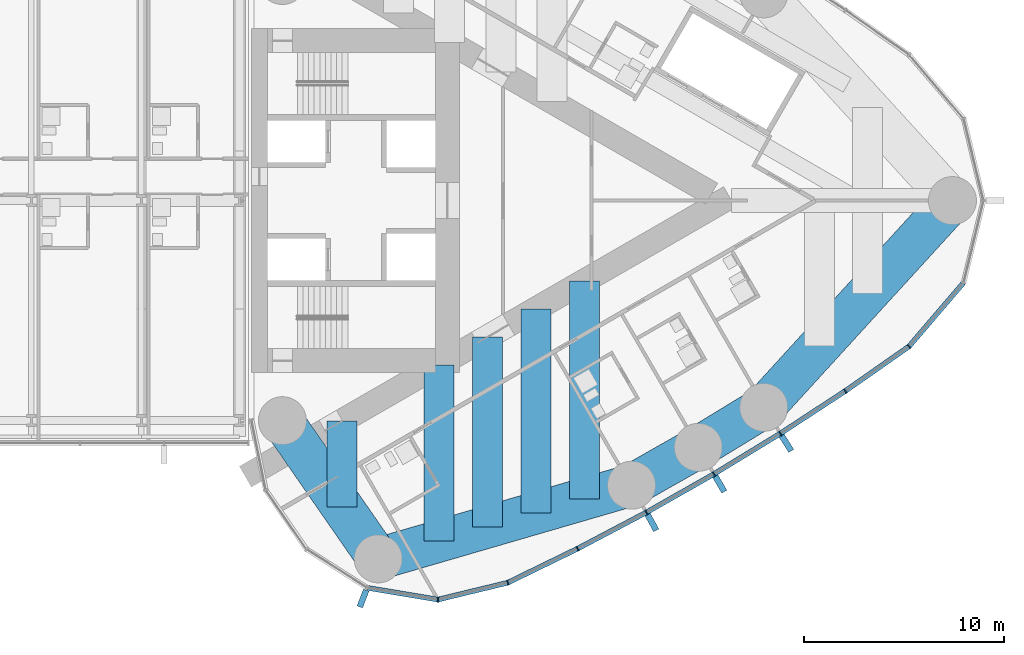
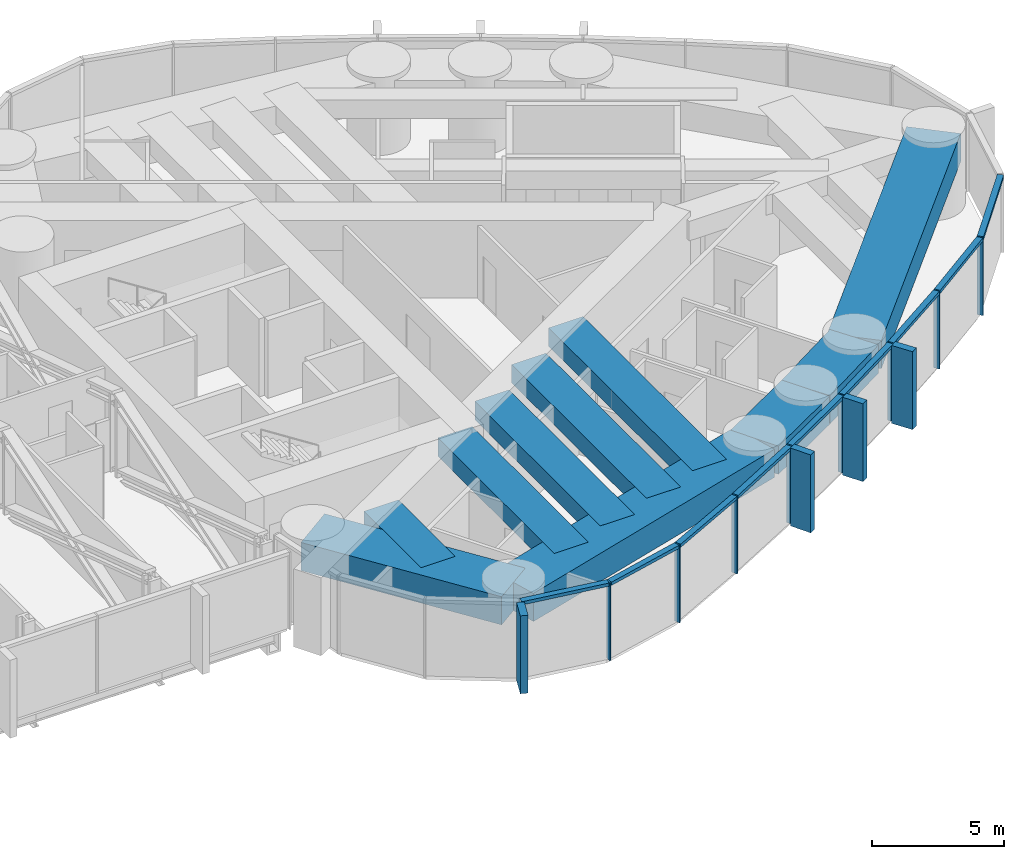
# One storey, part 8 of 23: 21 members, 10 beams, 1 element without a shape of its own.
"""IFC4 building model written with IfcOpenShell, lengths in metres."""

from ifc_helpers import new_model, si_unit, direction, frame, origin, origin_2d, place, context, subcontext, project, spatial, rectangle, extrude, material, material_profile, profile_set, type_object, element, aggregate, save


model = new_model("IFC4")

# Units and contexts
model_context = context("Model", 3, precision=1e-05, world=origin(), true_north=direction((0.0, 1.0)))
body_context = subcontext(model_context, "Body", "Model", "MODEL_VIEW")
ifc_project = project(units=[si_unit("LENGTHUNIT", "METRE"), si_unit("AREAUNIT", "SQUARE_METRE"), si_unit("VOLUMEUNIT", "CUBIC_METRE"), si_unit("PLANEANGLEUNIT", "RADIAN"), si_unit("MASSUNIT", "GRAM", prefix="KILO")], contexts=[model_context])

# Site, building, storey
site_placement = place(None, origin())
site = spatial("IfcSite", under=ifc_project, at=site_placement, CompositionType="ELEMENT")
building_placement = place(site_placement, origin())
building = spatial("IfcBuilding", under=site, at=building_placement, Name="Lancet Gate Hotel", CompositionType="ELEMENT")
storey_placement = place(building_placement, frame((0.0, 0.0, 222.5)))
storey = spatial("IfcBuildingStorey", under=building, at=storey_placement, Name="L59", CompositionType="ELEMENT", Elevation=222.5)

# Curtain wall, members
ifc_material_1 = material(Name="Aluminium curtain wall", Category="aluminium")
curtain_wall_type = type_object("IfcCurtainWallType", Name="Tower unitised curtain wall", PredefinedType="USERDEFINED", material=ifc_material_1)
curtain_wall_placement = place(storey_placement, origin())
curtain_wall = element("IfcCurtainWall", 1, at=curtain_wall_placement, inside=storey, type_object=curtain_wall_type, Name="T2 L59 curtain wall 1", ObjectType="UNITISED CURTAIN WALL", PredefinedType="USERDEFINED")
ifc_material_2 = material(Name="Aluminium mullion", Category="aluminium")
ifc_material_profile_1 = material_profile(ifc_material_2, rectangle(XDim=0.06494140625, YDim=0.25, at=origin_2d()), Name="MULLION 65x250")
ifc_profile_set_1 = profile_set([ifc_material_profile_1], Name="Aluminium mullion")
member_type_1 = type_object("IfcMemberType", Name="Aluminium mullion 65x250", PredefinedType="MULLION", material=ifc_profile_set_1)
member_1_placement = place(storey_placement, frame((36.826171875, -19.942138671875, 0.0), z_axis=(0.0, 0.0, 1.0), x_axis=(0.999342744911, 0.03625021647, 0.0)))
member_1 = element("IfcMember", 2, at=member_1_placement, type_object=member_type_1, Name="T2 L59 curtain wall 1 mullion 5", PredefinedType="MULLION", context=body_context, shape_type="SweptSolid", body=[
    extrude(rectangle(XDim=0.06494140625, YDim=0.25, at=origin_2d()), origin(), (0.0, 0.0, 1.0), 3.60009765625),
])
member_2_placement = place(storey_placement, frame((40.3173828125, -19.098388671875, 0.0), z_axis=(0.0, 0.0, 1.0), x_axis=(0.939483740419, 0.342593493061, 0.0)))
member_2 = element("IfcMember", 3, at=member_2_placement, type_object=member_type_1, Name="T2 L59 curtain wall 1 mullion 6", PredefinedType="MULLION", context=body_context, shape_type="SweptSolid", body=[
    extrude(rectangle(XDim=0.06494140625, YDim=0.25, at=origin_2d()), origin(), (0.0, 0.0, 1.0), 3.60009765625),
])
member_3_placement = place(storey_placement, frame((43.80810546875, -17.396240234375, 0.0), z_axis=(0.0, 0.0, 1.0), x_axis=(0.891832977257, 0.452364831389, 0.0)))
member_3 = element("IfcMember", 4, at=member_3_placement, type_object=member_type_1, Name="T2 L59 curtain wall 1 mullion 7", PredefinedType="MULLION", context=body_context, shape_type="SweptSolid", body=[
    extrude(rectangle(XDim=0.06494140625, YDim=0.25, at=origin_2d()), origin(), (0.0, 0.0, 1.0), 3.60009765625),
])
member_4_placement = place(storey_placement, frame((47.24365234375, -15.585205078125, 0.0), z_axis=(0.0, 0.0, 1.0), x_axis=(0.877194589488, 0.480135035352, 0.0)))
member_4 = element("IfcMember", 5, at=member_4_placement, type_object=member_type_1, Name="T2 L59 curtain wall 1 mullion 8", PredefinedType="MULLION", context=body_context, shape_type="SweptSolid", body=[
    extrude(rectangle(XDim=0.06494140625, YDim=0.25, at=origin_2d()), origin(), (0.0, 0.0, 1.0), 3.60009765625),
])
member_5_placement = place(storey_placement, frame((50.62060546875, -13.667236328125, 0.0), z_axis=(0.0, 0.0, 1.0), x_axis=(0.861691755738, 0.507432082247, 0.0)))
member_5 = element("IfcMember", 6, at=member_5_placement, type_object=member_type_1, Name="T2 L59 curtain wall 1 mullion 9", PredefinedType="MULLION", context=body_context, shape_type="SweptSolid", body=[
    extrude(rectangle(XDim=0.06494140625, YDim=0.25, at=origin_2d()), origin(), (0.0, 0.0, 1.0), 3.60009765625),
])
member_6_placement = place(storey_placement, frame((53.935791015625, -11.644287109375, 0.0), z_axis=(0.0, 0.0, 1.0), x_axis=(0.845339753513, 0.534229071777, 0.0)))
member_6 = element("IfcMember", 7, at=member_6_placement, type_object=member_type_1, Name="T2 L59 curtain wall 1 mullion 10", PredefinedType="MULLION", context=body_context, shape_type="SweptSolid", body=[
    extrude(rectangle(XDim=0.06494140625, YDim=0.25, at=origin_2d()), origin(), (0.0, 0.0, 1.0), 3.60009765625),
])
member_7_placement = place(storey_placement, frame((57.185791015625, -9.518310546875, 0.0), z_axis=(0.0, 0.0, 1.0), x_axis=(0.828154697184, 0.560499596371, 0.0)))
member_7 = element("IfcMember", 8, at=member_7_placement, type_object=member_type_1, Name="T2 L59 curtain wall 1 mullion 11", PredefinedType="MULLION", context=body_context, shape_type="SweptSolid", body=[
    extrude(rectangle(XDim=0.06494140625, YDim=0.25, at=origin_2d()), origin(), (0.0, 0.0, 1.0), 3.60009765625),
])
member_8_placement = place(storey_placement, frame((60.367431640625, -7.291259765625, 0.0), z_axis=(0.0, 0.0, 1.0), x_axis=(0.737323173512, 0.675540182226, 0.0)))
member_8 = element("IfcMember", 9, at=member_8_placement, type_object=member_type_1, Name="T2 L59 curtain wall 1 mullion 12", PredefinedType="MULLION", context=body_context, shape_type="SweptSolid", body=[
    extrude(rectangle(XDim=0.06494140625, YDim=0.25, at=origin_2d()), origin(), (0.0, 0.0, 1.0), 3.60009765625),
])
ifc_material_3 = material(Name="Aluminium transom", Category="aluminium")
ifc_material_profile_2 = material_profile(ifc_material_3, rectangle(XDim=0.25, YDim=0.14990234375, at=origin_2d()), Name="TRANSOM 250x150")
ifc_profile_set_2 = profile_set([ifc_material_profile_2], Name="Aluminium transom")
member_type_2 = type_object("IfcMemberType", Name="Aluminium transom 250x150", PredefinedType="USERDEFINED", material=ifc_profile_set_2)
member_9_placement = place(storey_placement, frame((33.315185546875, -19.35888671875, 3.52490234375), z_axis=(0.986483584545, -0.163860115412, 0.0), x_axis=(0.163860115412, 0.986483584545, 0.0)))
member_9 = element("IfcMember", 10, at=member_9_placement, type_object=member_type_2, Name="T2 L59 curtain wall 1 transom 4", ObjectType="TRANSOM", PredefinedType="USERDEFINED", context=body_context, shape_type="SweptSolid", body=[
    extrude(rectangle(XDim=0.25, YDim=0.14990234375, at=origin_2d()), origin(), (0.0, 0.0, 1.0), 3.526611328125),
])
member_10_placement = place(storey_placement, frame((36.85791015625, -19.9345703125, 3.52490234375), z_axis=(0.972002653858, 0.234969872307, 0.0), x_axis=(-0.234969872307, 0.972002653858, 0.0)))
member_10 = element("IfcMember", 11, at=member_10_placement, type_object=member_type_2, Name="T2 L59 curtain wall 1 transom 5", ObjectType="TRANSOM", PredefinedType="USERDEFINED", context=body_context, shape_type="SweptSolid", body=[
    extrude(rectangle(XDim=0.25, YDim=0.14990234375, at=origin_2d()), origin(), (0.0, 0.0, 1.0), 3.5263671875),
])
member_11_placement = place(storey_placement, frame((40.346435546875, -19.084228515625, 3.52490234375), z_axis=(0.898820051991, 0.438317823206, 0.0), x_axis=(-0.438317823206, 0.898820051991, 0.0)))
member_11 = element("IfcMember", 12, at=member_11_placement, type_object=member_type_2, Name="T2 L59 curtain wall 1 transom 6", ObjectType="TRANSOM", PredefinedType="USERDEFINED", context=body_context, shape_type="SweptSolid", body=[
    extrude(rectangle(XDim=0.25, YDim=0.14990234375, at=origin_2d()), origin(), (0.0, 0.0, 1.0), 3.81884765625),
])
member_12_placement = place(storey_placement, frame((43.836669921875, -17.381103515625, 3.52490234375), z_axis=(0.884618491031, 0.466315478325, 0.0), x_axis=(-0.466315478325, 0.884618491031, 0.0)))
member_12 = element("IfcMember", 13, at=member_12_placement, type_object=member_type_2, Name="T2 L59 curtain wall 1 transom 7", ObjectType="TRANSOM", PredefinedType="USERDEFINED", context=body_context, shape_type="SweptSolid", body=[
    extrude(rectangle(XDim=0.25, YDim=0.14990234375, at=origin_2d()), origin(), (0.0, 0.0, 1.0), 3.81884765625),
])
member_13_placement = place(storey_placement, frame((47.271728515625, -15.569091796875, 3.52490234375), z_axis=(0.869562011924, 0.493823761496, 0.0), x_axis=(-0.493823761496, 0.869562011924, 0.0)))
member_13 = element("IfcMember", 14, at=member_13_placement, type_object=member_type_2, Name="T2 L59 curtain wall 1 transom 8", ObjectType="TRANSOM", PredefinedType="USERDEFINED", context=body_context, shape_type="SweptSolid", body=[
    extrude(rectangle(XDim=0.25, YDim=0.14990234375, at=origin_2d()), origin(), (0.0, 0.0, 1.0), 3.818603515625),
])
member_14_placement = place(storey_placement, frame((50.648193359375, -13.650390625, 3.52490234375), z_axis=(0.853638798527, 0.520865435261, 0.0), x_axis=(-0.520865435261, 0.853638798527, 0.0)))
member_14 = element("IfcMember", 15, at=member_14_placement, type_object=member_type_2, Name="T2 L59 curtain wall 1 transom 9", ObjectType="TRANSOM", PredefinedType="USERDEFINED", context=body_context, shape_type="SweptSolid", body=[
    extrude(rectangle(XDim=0.25, YDim=0.14990234375, at=origin_2d()), origin(), (0.0, 0.0, 1.0), 3.818603515625),
])
member_15_placement = place(storey_placement, frame((53.962890625, -11.62646484375, 3.52490234375), z_axis=(0.836858089593, 0.547419891749, 0.0), x_axis=(-0.547419891749, 0.836858089593, 0.0)))
member_15 = element("IfcMember", 16, at=member_15_placement, type_object=member_type_2, Name="T2 L59 curtain wall 1 transom 10", ObjectType="TRANSOM", PredefinedType="USERDEFINED", context=body_context, shape_type="SweptSolid", body=[
    extrude(rectangle(XDim=0.25, YDim=0.14990234375, at=origin_2d()), origin(), (0.0, 0.0, 1.0), 3.818603515625),
])
member_16_placement = place(storey_placement, frame((57.21240234375, -9.499755859375, 3.52490234375), z_axis=(0.819255948852, 0.573428016642, 0.0), x_axis=(-0.573428016642, 0.819255948852, 0.0)))
member_16 = element("IfcMember", 17, at=member_16_placement, type_object=member_type_2, Name="T2 L59 curtain wall 1 transom 11", ObjectType="TRANSOM", PredefinedType="USERDEFINED", context=body_context, shape_type="SweptSolid", body=[
    extrude(rectangle(XDim=0.25, YDim=0.14990234375, at=origin_2d()), origin(), (0.0, 0.0, 1.0), 3.818603515625),
])
member_17_placement = place(storey_placement, frame((60.388427734375, -7.2666015625, 3.52490234375), z_axis=(0.650592500186, 0.759427019997, 0.0), x_axis=(-0.759427019997, 0.650592500186, 0.0)))
member_17 = element("IfcMember", 18, at=member_17_placement, type_object=member_type_2, Name="T2 L59 curtain wall 1 transom 12", ObjectType="TRANSOM", PredefinedType="USERDEFINED", context=body_context, shape_type="SweptSolid", body=[
    extrude(rectangle(XDim=0.25, YDim=0.14990234375, at=origin_2d()), origin(), (0.0, 0.0, 1.0), 4.1455078125),
])

# Beams
ifc_material_4 = material(Name="Concrete C50/60", Category="concrete")
ifc_material_profile_3 = material_profile(ifc_material_4, rectangle(XDim=2.10009765625, YDim=1.300048828125, at=origin_2d()), Name="RC 2100x1300")
ifc_profile_set_3 = profile_set([ifc_material_profile_3], Name="Concrete C50/60")
beam_type_1 = type_object("IfcBeamType", Name="Edge beam RC 2100x1300", PredefinedType="SPANDREL", material=ifc_profile_set_3)
beam_1_placement = place(storey_placement, frame((33.837158203125, -17.906005859375, 2.699951171875), z_axis=(0.960258384252, 0.279112585659, 0.0), x_axis=(-0.279112585659, 0.960258384252, 0.0)))
element("IfcBeam", 19, at=beam_1_placement, inside=storey, type_object=beam_type_1, Name="T2 edge beam EB1 L59", PredefinedType="SPANDREL", context=body_context, shape_type="SweptSolid", body=[
    extrude(rectangle(XDim=2.10009765625, YDim=1.300048828125, at=origin_2d()), origin(), (0.0, 0.0, 1.0), 13.18603515625),
])
beam_2_placement = place(storey_placement, frame((46.499267578125, -14.2255859375, 2.699951171875), z_axis=(0.869560321562, 0.493826738001, 0.0), x_axis=(-0.493826738001, 0.869560321562, 0.0)))
element("IfcBeam", 20, at=beam_2_placement, inside=storey, type_object=beam_type_1, Name="T2 edge beam EB1 L59", PredefinedType="SPANDREL", context=body_context, shape_type="SweptSolid", body=[
    extrude(rectangle(XDim=2.10009765625, YDim=1.300048828125, at=origin_2d()), origin(), (0.0, 0.0, 1.0), 3.8349609375),
])
beam_3_placement = place(storey_placement, frame((49.833984375, -12.331787109375, 2.699951171875), z_axis=(0.853604257265, 0.520922040212, 0.0), x_axis=(-0.520922040212, 0.853604257265, 0.0)))
element("IfcBeam", 21, at=beam_3_placement, inside=storey, type_object=beam_type_1, Name="T2 edge beam EB1 L59", PredefinedType="SPANDREL", context=body_context, shape_type="SweptSolid", body=[
    extrude(rectangle(XDim=2.10009765625, YDim=1.300048828125, at=origin_2d()), origin(), (0.0, 0.0, 1.0), 3.835205078125),
])
beam_4_placement = place(storey_placement, frame((53.107666015625, -10.333984375, 2.699951171875), z_axis=(0.674209372947, 0.738540263919, 0.0), x_axis=(-0.738540263919, 0.674209372947, 0.0)))
element("IfcBeam", 22, at=beam_4_placement, inside=storey, type_object=beam_type_1, Name="T2 edge beam EB1 L59", PredefinedType="SPANDREL", context=body_context, shape_type="SweptSolid", body=[
    extrude(rectangle(XDim=2.10009765625, YDim=1.300048828125, at=origin_2d()), origin(), (0.0, 0.0, 1.0), 13.992431640625),
])
beam_5_placement = place(storey_placement, frame((33.837158203125, -17.906005859375, 2.699951171875), z_axis=(-0.569694852599, 0.821856298219, 0.0), x_axis=(-0.821856298219, -0.569694852599, 0.0)))
element("IfcBeam", 23, at=beam_5_placement, inside=storey, type_object=beam_type_1, Name="T2 edge beam EB1 L59", PredefinedType="SPANDREL", context=body_context, shape_type="SweptSolid", body=[
    extrude(rectangle(XDim=2.10009765625, YDim=1.300048828125, at=origin_2d()), origin(), (0.0, 0.0, 1.0), 8.40283203125),
])

# Member
ifc_material_5 = material(Name="Precast concrete C50/60", Category="concrete")
ifc_material_profile_4 = material_profile(ifc_material_5, rectangle(XDim=0.300048828125, YDim=0.89990234375, at=origin_2d()), Name="FIN 300x900")
ifc_profile_set_4 = profile_set([ifc_material_profile_4], Name="Precast concrete C50/60")
member_type_3 = type_object("IfcMemberType", Name="Exposed concrete fin 300x900", PredefinedType="USERDEFINED", material=ifc_profile_set_4)
member_18_placement = place(storey_placement, frame((33.07763671875, -19.890625, 0.0), z_axis=(0.0, 0.0, 1.0), x_axis=(0.93394321776, -0.357421412343, 0.0)))
member_18 = element("IfcMember", 24, at=member_18_placement, type_object=member_type_3, Name="T2 L59 curtain wall 1 fin 4", ObjectType="FIN", PredefinedType="USERDEFINED", context=body_context, shape_type="SweptSolid", body=[
    extrude(rectangle(XDim=0.300048828125, YDim=0.89990234375, at=origin_2d()), origin(), (0.0, 0.0, 1.0), 3.60009765625),
])

member_19_placement = place(storey_placement, frame((47.51953125, -16.089599609375, 0.0), z_axis=(0.0, 0.0, 1.0), x_axis=(0.877194589488, 0.480135035352, 0.0)))
member_19 = element("IfcMember", 25, at=member_19_placement, type_object=member_type_3, Name="T2 L59 curtain wall 1 fin 8", ObjectType="FIN", PredefinedType="USERDEFINED", context=body_context, shape_type="SweptSolid", body=[
    extrude(rectangle(XDim=0.300048828125, YDim=0.89990234375, at=origin_2d()), origin(), (0.0, 0.0, 1.0), 3.60009765625),
])

member_20_placement = place(storey_placement, frame((50.912353515625, -14.162841796875, 0.0), z_axis=(0.0, 0.0, 1.0), x_axis=(0.861691755738, 0.507432082247, 0.0)))
member_20 = element("IfcMember", 26, at=member_20_placement, type_object=member_type_3, Name="T2 L59 curtain wall 1 fin 9", ObjectType="FIN", PredefinedType="USERDEFINED", context=body_context, shape_type="SweptSolid", body=[
    extrude(rectangle(XDim=0.300048828125, YDim=0.89990234375, at=origin_2d()), origin(), (0.0, 0.0, 1.0), 3.60009765625),
])

member_21_placement = place(storey_placement, frame((54.242919921875, -12.13037109375, 0.0), z_axis=(0.0, 0.0, 1.0), x_axis=(0.845339753513, 0.534229071777, 0.0)))
member_21 = element("IfcMember", 27, at=member_21_placement, type_object=member_type_3, Name="T2 L59 curtain wall 1 fin 10", ObjectType="FIN", PredefinedType="USERDEFINED", context=body_context, shape_type="SweptSolid", body=[
    extrude(rectangle(XDim=0.300048828125, YDim=0.89990234375, at=origin_2d()), origin(), (0.0, 0.0, 1.0), 3.60009765625),
])

aggregate(curtain_wall, [member_18, member_1, member_2, member_3, member_4, member_19, member_5, member_20, member_6, member_21, member_7, member_8, member_9, member_10, member_11, member_12, member_13, member_14, member_15, member_16, member_17])

# Beams
ifc_material_6 = material(Name="Concrete C50/60", Category="concrete")
ifc_material_profile_5 = material_profile(ifc_material_6, rectangle(XDim=1.5, YDim=0.85009765625, at=origin_2d()), Name="RC 1500x850")
ifc_profile_set_5 = profile_set([ifc_material_profile_5], Name="Concrete C50/60")
beam_type_2 = type_object("IfcBeamType", Name="Floor beam RC 1500x850", PredefinedType="BEAM", material=ifc_profile_set_5)
beam_6_placement = place(storey_placement, frame((32.04052734375, -15.31396484375, 2.925048828125), z_axis=(0.0, 1.0, 0.0), x_axis=(-1.0, 0.0, 0.0)))
element("IfcBeam", 28, at=beam_6_placement, inside=storey, type_object=beam_type_2, Name="T2 floor beam F01S L59", PredefinedType="BEAM", context=body_context, shape_type="SweptSolid", body=[
    extrude(rectangle(XDim=1.5, YDim=0.85009765625, at=origin_2d()), origin(), (0.0, 0.0, 1.0), 4.30859375),
])
beam_7_placement = place(storey_placement, frame((36.880859375, -17.021240234375, 2.925048828125), z_axis=(0.0, 1.0, 0.0), x_axis=(-1.0, 0.0, 0.0)))
element("IfcBeam", 29, at=beam_7_placement, inside=storey, type_object=beam_type_2, Name="T2 floor beam F03S L59", PredefinedType="BEAM", context=body_context, shape_type="SweptSolid", body=[
    extrude(rectangle(XDim=1.5, YDim=0.85009765625, at=origin_2d()), origin(), (0.0, 0.0, 1.0), 8.810546875),
])
beam_8_placement = place(storey_placement, frame((39.301025390625, -16.31787109375, 2.925048828125), z_axis=(0.0, 1.0, 0.0), x_axis=(-1.0, 0.0, 0.0)))
element("IfcBeam", 30, at=beam_8_placement, inside=storey, type_object=beam_type_2, Name="T2 floor beam F05S L59", PredefinedType="BEAM", context=body_context, shape_type="SweptSolid", body=[
    extrude(rectangle(XDim=1.5, YDim=0.85009765625, at=origin_2d()), origin(), (0.0, 0.0, 1.0), 9.50439453125),
])
beam_9_placement = place(storey_placement, frame((41.721435546875, -15.6142578125, 2.925048828125), z_axis=(0.0, 1.0, 0.0), x_axis=(-1.0, 0.0, 0.0)))
element("IfcBeam", 31, at=beam_9_placement, inside=storey, type_object=beam_type_2, Name="T2 floor beam F07S L59", PredefinedType="BEAM", context=body_context, shape_type="SweptSolid", body=[
    extrude(rectangle(XDim=1.5, YDim=0.85009765625, at=origin_2d()), origin(), (0.0, 0.0, 1.0), 10.1982421875),
])
beam_10_placement = place(storey_placement, frame((44.1416015625, -14.910888671875, 2.925048828125), z_axis=(0.0, 1.0, 0.0), x_axis=(-1.0, 0.0, 0.0)))
element("IfcBeam", 32, at=beam_10_placement, inside=storey, type_object=beam_type_2, Name="T2 floor beam F09S L59", PredefinedType="BEAM", context=body_context, shape_type="SweptSolid", body=[
    extrude(rectangle(XDim=1.5, YDim=0.85009765625, at=origin_2d()), origin(), (0.0, 0.0, 1.0), 10.89208984375),
])

save(model, "model.ifc")
